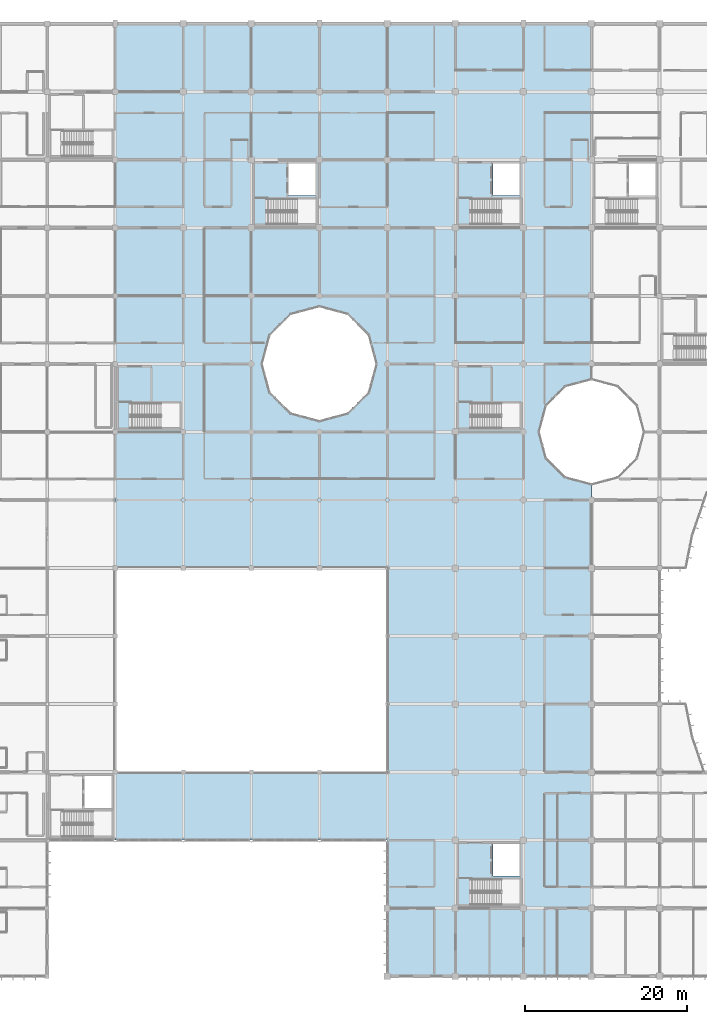
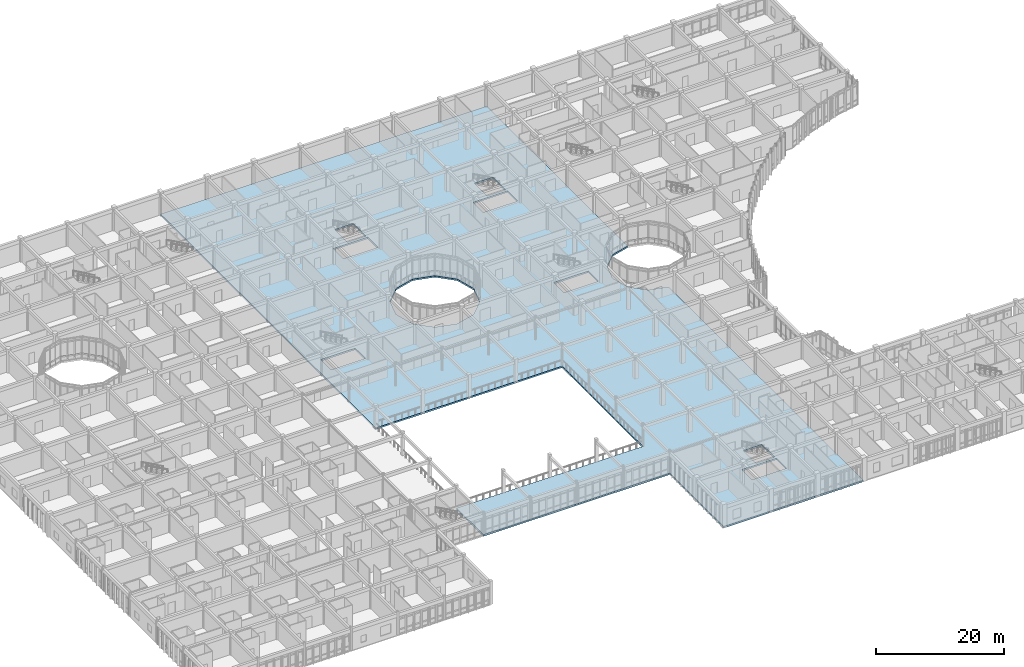
# One storey, part 76 of 144: 1 slab.
"""IFC4 building model written with IfcOpenShell, lengths in metres."""

from ifc_helpers import new_model, si_unit, direction, frame, origin, place, context, subcontext, project, spatial, polyline, outline, extrude, material, layer, layer_set, type_object, element, save


model = new_model("IFC4")

# Units and contexts
model_context = context("Model", 3, precision=1e-05, world=origin(), true_north=direction((0.0, 1.0)))
body_context = subcontext(model_context, "Body", "Model", "MODEL_VIEW")
ifc_project = project(units=[si_unit("LENGTHUNIT", "METRE"), si_unit("AREAUNIT", "SQUARE_METRE"), si_unit("VOLUMEUNIT", "CUBIC_METRE"), si_unit("PLANEANGLEUNIT", "RADIAN"), si_unit("MASSUNIT", "GRAM", prefix="KILO")], contexts=[model_context])

# Site, building, storey
site_placement = place(None, origin())
site = spatial("IfcSite", under=ifc_project, at=site_placement, CompositionType="ELEMENT")
building_placement = place(site_placement, origin())
building = spatial("IfcBuilding", under=site, at=building_placement, Name="Bramfleet General Hospital", CompositionType="ELEMENT")
storey_placement = place(building_placement, frame((0.0, 0.0, 4.800048828125)))
storey = spatial("IfcBuildingStorey", under=building, at=storey_placement, Name="L01", CompositionType="ELEMENT", Elevation=4.800048828125)

# Slab
ifc_material = material(Name="Concrete C35/45", Category="concrete")
ifc_layer = layer(ifc_material, 0.300048828125, Name="SL-FLR-300")
ifc_layer_set = layer_set([ifc_layer], Name="Concrete C35/45")
slab_type = type_object("IfcSlabType", Name="SL-FLR-300", PredefinedType="FLOOR", material=ifc_layer_set)
slab_placement = place(storey_placement, frame((0.0, 0.0, -0.300048828125)))
element("IfcSlab", 1, at=slab_placement, inside=storey, type_object=slab_type, Name="L01 Structural Floor Slab (CENTRE)", PredefinedType="FLOOR", context=body_context, shape_type="SweptSolid", body=[
    extrude(outline(polyline([(67.199951171875, 117.60009765625), (75.60009765625, 117.60009765625), (84.0, 117.60009765625), (92.39990234375, 117.60009765625), (100.800048828125, 117.60009765625), (109.199951171875, 117.60009765625), (117.60009765625, 117.60009765625), (117.60009765625, 73.60009765625), (114.39990234375, 72.74267578125), (112.057373046875, 70.39990234375), (111.199951171875, 67.199951171875), (112.057373046875, 64.0), (114.39990234375, 61.657470703125), (117.60009765625, 60.800048828125), (117.60009765625, 0.0), (109.199951171875, 0.0), (100.800048828125, 0.0), (92.39990234375, 0.0), (92.39990234375, 8.39990234375), (92.39990234375, 16.800048828125), (84.0, 16.800048828125), (75.60009765625, 16.800048828125), (67.199951171875, 16.800048828125), (58.800048828125, 16.800048828125), (58.800048828125, 25.199951171875), (92.39990234375, 25.199951171875), (92.39990234375, 50.39990234375), (58.800048828125, 50.39990234375), (58.800048828125, 117.60009765625), (67.199951171875, 117.60009765625)]), holes=[polyline([(77.937744140625, 72.10009765625), (80.5, 69.537841796875), (84.0, 68.60009765625), (87.5, 69.537841796875), (90.062255859375, 72.10009765625), (91.0, 75.60009765625), (90.062255859375, 79.10009765625), (87.5, 81.662109375), (84.0, 82.60009765625), (80.5, 81.662109375), (77.937744140625, 79.10009765625), (77.0, 75.60009765625), (77.937744140625, 72.10009765625)]), polyline([(102.639892578125, 8.820068359375), (108.860107421875, 8.820068359375), (108.860107421875, 11.97998046875), (102.639892578125, 11.97998046875), (102.639892578125, 8.820068359375)]), polyline([(105.419921875, 12.39990234375), (108.75, 12.39990234375), (108.75, 16.35009765625), (105.419921875, 16.35009765625), (105.419921875, 12.39990234375)]), polyline([(102.639892578125, 92.820068359375), (108.860107421875, 92.820068359375), (108.860107421875, 95.97998046875), (102.639892578125, 95.97998046875), (102.639892578125, 92.820068359375)]), polyline([(105.419921875, 96.39990234375), (108.75, 96.39990234375), (108.75, 100.35009765625), (105.419921875, 100.35009765625), (105.419921875, 96.39990234375)]), polyline([(77.43994140625, 92.820068359375), (83.659912109375, 92.820068359375), (83.659912109375, 95.97998046875), (77.43994140625, 95.97998046875), (77.43994140625, 92.820068359375)]), polyline([(80.219970703125, 96.39990234375), (83.550048828125, 96.39990234375), (83.550048828125, 100.35009765625), (80.219970703125, 100.35009765625), (80.219970703125, 96.39990234375)]), polyline([(102.639892578125, 67.6201171875), (108.860107421875, 67.6201171875), (108.860107421875, 70.780029296875), (102.639892578125, 70.780029296875), (102.639892578125, 67.6201171875)]), polyline([(60.639892578125, 67.6201171875), (66.860107421875, 67.6201171875), (66.860107421875, 70.780029296875), (60.639892578125, 70.780029296875), (60.639892578125, 67.6201171875)])]), origin(), (0.0, 0.0, 1.0), 0.300048828125),
])

save(model, "model.ifc")
